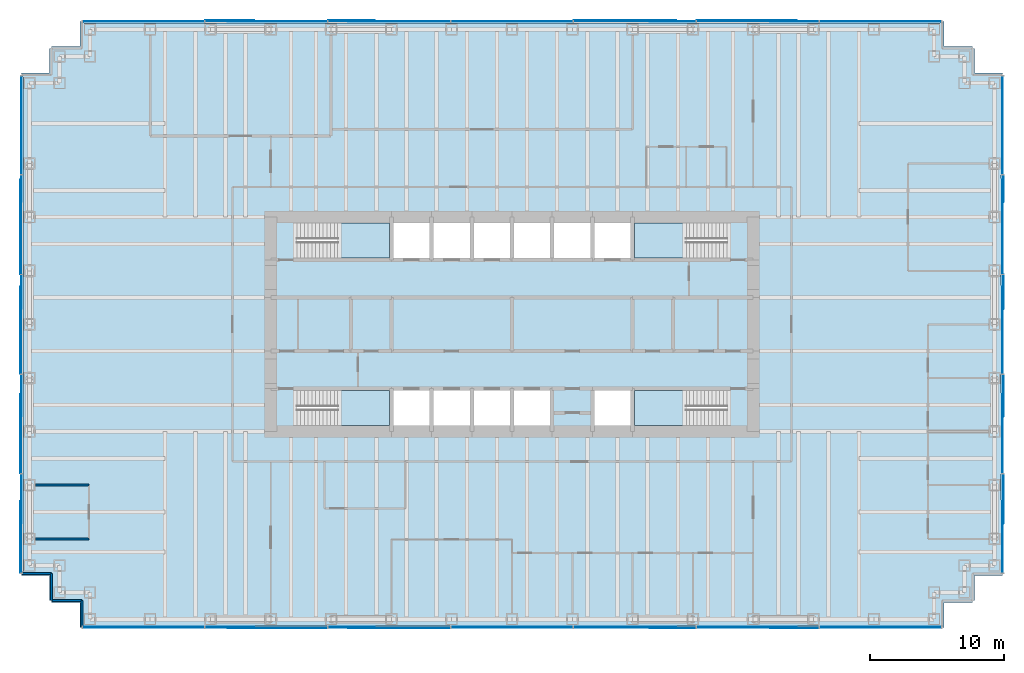
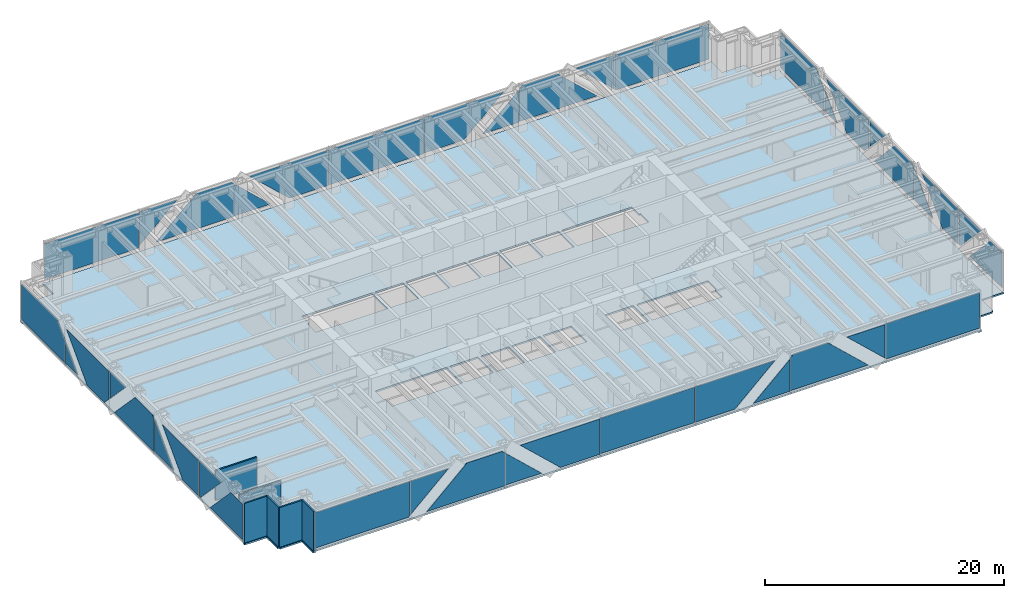
# One storey, part 10 of 15: 40 plates, 6 walls, 5 slabs, 8 elements without a shape of their own.
"""IFC4 building model written with IfcOpenShell, lengths in metres."""

from ifc_helpers import new_model, si_unit, direction, frame, frame_2d, origin, origin_2d, place, context, subcontext, project, spatial, polyline, rectangle, outline, extrude, material, layer, layer_set, type_object, element, aggregate, save


model = new_model("IFC4")

# Units and contexts
model_context = context("Model", 3, precision=1e-05, world=origin(), true_north=direction((0.0, 1.0)))
body_context = subcontext(model_context, "Body", "Model", "MODEL_VIEW")
ifc_project = project(units=[si_unit("LENGTHUNIT", "METRE"), si_unit("AREAUNIT", "SQUARE_METRE"), si_unit("VOLUMEUNIT", "CUBIC_METRE"), si_unit("PLANEANGLEUNIT", "RADIAN"), si_unit("MASSUNIT", "GRAM", prefix="KILO")], contexts=[model_context])

# Site, building, storey
site_placement = place(None, origin())
site = spatial("IfcSite", under=ifc_project, at=site_placement, CompositionType="ELEMENT")
building_placement = place(site_placement, origin())
building = spatial("IfcBuilding", under=site, at=building_placement, Name="Rheinbord Bourse Tower", CompositionType="ELEMENT")
storey_placement = place(building_placement, frame((0.0, 0.0, 134.10009765625)))
storey = spatial("IfcBuildingStorey", under=building, at=storey_placement, Name="L29", CompositionType="ELEMENT", Elevation=134.10009765625)

# Slab
ifc_material_1 = material(Name="Concrete C30/37", Category="concrete")
ifc_layer_1 = layer(ifc_material_1, 0.159912109375)
ifc_layer_set_1 = layer_set([ifc_layer_1], Name="COMPOSITE FLOOR SLAB 160")
slab_type_1 = type_object("IfcSlabType", Name="COMPOSITE FLOOR SLAB 160", PredefinedType="FLOOR", material=ifc_layer_set_1)
slab_1_placement = place(storey_placement, frame((0.0, 0.0, -0.16015625)))
element("IfcSlab", 1, at=slab_1_placement, inside=storey, type_object=slab_type_1, Name="Floor slab L29", PredefinedType="FLOOR", context=body_context, shape_type="SweptSolid", body=[
    extrude(outline(polyline([(1.64990234375, 3.39990234375), (1.5, 3.39990234375), (1.5, 5.25), (-0.60009765625, 5.25), (-0.60009765625, 5.550048828125), (-0.5, 5.550048828125), (-0.5, 42.449951171875), (-0.60009765625, 42.449951171875), (-0.60009765625, 42.75), (1.5, 42.75), (1.5, 44.60009765625), (1.64990234375, 44.60009765625), (1.64990234375, 44.75), (3.75, 44.75), (3.75, 46.60009765625), (4.050048828125, 46.60009765625), (4.050048828125, 46.5), (67.949951171875, 46.5), (67.949951171875, 46.60009765625), (68.25, 46.60009765625), (68.25, 44.75), (70.35009765625, 44.75), (70.35009765625, 44.60009765625), (70.5, 44.60009765625), (70.5, 42.75), (72.60009765625, 42.75), (72.60009765625, 42.449951171875), (72.5, 42.449951171875), (72.5, 5.550048828125), (72.60009765625, 5.550048828125), (72.60009765625, 5.25), (70.5, 5.25), (70.5, 3.39990234375), (70.35009765625, 3.39990234375), (70.35009765625, 3.25), (68.25, 3.25), (68.25, 1.39990234375), (67.949951171875, 1.39990234375), (67.949951171875, 1.5), (4.050048828125, 1.5), (4.050048828125, 1.39990234375), (3.75, 1.39990234375), (3.75, 3.25), (1.64990234375, 3.25), (1.64990234375, 3.39990234375)]), holes=[polyline([(19.949951171875, 19.050048828125), (26.85009765625, 19.050048828125), (26.85009765625, 16.449951171875), (20.10009765625, 16.449951171875), (20.10009765625, 17.64990234375), (19.949951171875, 17.64990234375), (19.949951171875, 19.050048828125)]), polyline([(26.85009765625, 31.550048828125), (26.85009765625, 28.949951171875), (19.949951171875, 28.949951171875), (19.949951171875, 30.35009765625), (20.10009765625, 30.35009765625), (20.10009765625, 31.550048828125), (26.85009765625, 31.550048828125)]), polyline([(45.14990234375, 16.449951171875), (45.14990234375, 19.050048828125), (52.050048828125, 19.050048828125), (52.050048828125, 17.64990234375), (51.89990234375, 17.64990234375), (51.89990234375, 16.449951171875), (45.14990234375, 16.449951171875)]), polyline([(52.050048828125, 28.949951171875), (45.14990234375, 28.949951171875), (45.14990234375, 31.550048828125), (51.89990234375, 31.550048828125), (51.89990234375, 30.35009765625), (52.050048828125, 30.35009765625), (52.050048828125, 28.949951171875)]), polyline([(27.14990234375, 16.449951171875), (27.14990234375, 19.050048828125), (29.85009765625, 19.050048828125), (29.85009765625, 16.449951171875), (27.14990234375, 16.449951171875)]), polyline([(27.14990234375, 28.949951171875), (27.14990234375, 31.550048828125), (29.85009765625, 31.550048828125), (29.85009765625, 28.949951171875), (27.14990234375, 28.949951171875)]), polyline([(30.14990234375, 16.449951171875), (30.14990234375, 19.050048828125), (32.85009765625, 19.050048828125), (32.85009765625, 16.449951171875), (30.14990234375, 16.449951171875)]), polyline([(30.14990234375, 28.949951171875), (30.14990234375, 31.550048828125), (32.85009765625, 31.550048828125), (32.85009765625, 28.949951171875), (30.14990234375, 28.949951171875)]), polyline([(33.14990234375, 16.449951171875), (33.14990234375, 19.050048828125), (35.85009765625, 19.050048828125), (35.85009765625, 16.449951171875), (33.14990234375, 16.449951171875)]), polyline([(33.14990234375, 28.949951171875), (33.14990234375, 31.550048828125), (35.85009765625, 31.550048828125), (35.85009765625, 28.949951171875), (33.14990234375, 28.949951171875)]), polyline([(36.14990234375, 16.449951171875), (36.14990234375, 19.050048828125), (38.85009765625, 19.050048828125), (38.85009765625, 16.449951171875), (36.14990234375, 16.449951171875)]), polyline([(36.14990234375, 28.949951171875), (36.14990234375, 31.550048828125), (38.85009765625, 31.550048828125), (38.85009765625, 28.949951171875), (36.14990234375, 28.949951171875)]), polyline([(39.14990234375, 28.949951171875), (39.14990234375, 31.550048828125), (41.85009765625, 31.550048828125), (41.85009765625, 28.949951171875), (39.14990234375, 28.949951171875)]), polyline([(42.14990234375, 16.449951171875), (42.14990234375, 19.050048828125), (44.85009765625, 19.050048828125), (44.85009765625, 16.449951171875), (42.14990234375, 16.449951171875)]), polyline([(42.14990234375, 28.949951171875), (42.14990234375, 31.550048828125), (44.85009765625, 31.550048828125), (44.85009765625, 28.949951171875), (42.14990234375, 28.949951171875)])]), origin(), (0.0, 0.0, 1.0), 0.16015625),
])

# Curtain wall, plates
ifc_material_2 = material(Name="Dark glass and black aluminium", Category="aluminium")
curtain_wall_type = type_object("IfcCurtainWallType", Name="CW2 DARK GLASS CURTAIN WALL", PredefinedType="USERDEFINED", material=ifc_material_2)
curtain_wall_1_placement = place(storey_placement, origin())
curtain_wall_1 = element("IfcCurtainWall", 2, at=curtain_wall_1_placement, inside=storey, type_object=curtain_wall_type, Name="Curtain wall CW2 S L29", ObjectType="UNITISED CURTAIN WALL", PredefinedType="USERDEFINED")
ifc_material_3 = material(Name="Dark tinted triple insulating glass", Category="glass")
ifc_layer_2 = layer(ifc_material_3, 0.050048828125)
ifc_layer_set_2 = layer_set([ifc_layer_2], Name="CW2 DARK GLASS PANEL")
plate_type = type_object("IfcPlateType", Name="CW2 DARK GLASS PANEL", PredefinedType="CURTAIN_PANEL", material=ifc_layer_set_2)
plate_1_placement = place(storey_placement, frame((36.0, 1.39990234375, 0.2998046875), z_axis=(0.0, 0.0, 1.0), x_axis=(1.0, 0.0, 0.0)))
plate_1 = element("IfcPlate", 3, at=plate_1_placement, type_object=plate_type, Name="CW2 panel 4.1", PredefinedType="CURTAIN_PANEL", context=body_context, shape_type="SweptSolid", body=[
    extrude(rectangle(XDim=9.101318359375, YDim=0.050048828125, at=origin_2d()), origin(), (0.0, 0.0, 1.0), 3.60009765625),
])
plate_2_placement = place(storey_placement, frame((3.969970703125, 1.375, 0.2998046875), z_axis=(0.0, 1.0, 0.0), x_axis=(0.0, 0.0, 1.0)))
plate_2 = element("IfcPlate", 4, at=plate_2_placement, type_object=plate_type, Name="CW2 glass facet 1", PredefinedType="CURTAIN_PANEL", context=body_context, shape_type="SweptSolid", body=[
    extrude(outline(polyline([(0.0, 0.0), (3.60009765625, 0.0), (3.60009765625, 9.06591796875), (0.09521484375, 9.06591796875), (0.0, 8.965087890625), (0.0, 0.0)])), origin(), (0.0, 0.0, 1.0), 0.050048828125),
])
plate_3_placement = place(storey_placement, frame((13.10595703125, 1.375, 3.89990234375), z_axis=(0.0, 1.0, 0.0), x_axis=(1.0, 0.0, 0.0)))
plate_3 = element("IfcPlate", 5, at=plate_3_placement, type_object=plate_type, Name="CW2 glass facet 1", PredefinedType="CURTAIN_PANEL", context=body_context, shape_type="SweptSolid", body=[
    extrude(outline(polyline([(0.0, 0.0), (3.68603515625, 0.0), (0.0, 3.43994140625), (0.0, 0.0)])), origin(), (0.0, 0.0, 1.0), 0.050048828125),
])
plate_4_placement = place(storey_placement, frame((22.2080078125, 1.31982421875, 0.2998046875), z_axis=(0.0, 1.0, 0.0), x_axis=(-1.0, 0.0, 0.0)))
plate_4 = element("IfcPlate", 6, at=plate_4_placement, type_object=plate_type, Name="CW2 glass facet 2", PredefinedType="CURTAIN_PANEL", context=body_context, shape_type="SweptSolid", body=[
    extrude(outline(polyline([(0.0, 0.0), (7.5, 0.0), (3.64306640625, 3.60009765625), (0.27294921875, 3.60009765625), (0.0, 3.34521484375), (0.0, 0.0)])), origin(), (0.0, 0.0, 1.0), 0.050048828125),
])
plate_5_placement = place(storey_placement, frame((22.278076171875, 1.375, 0.2998046875), z_axis=(0.0, 1.0, 0.0), x_axis=(0.0, 0.0, 1.0)))
plate_5 = element("IfcPlate", 7, at=plate_5_placement, type_object=plate_type, Name="CW2 glass facet 1", PredefinedType="CURTAIN_PANEL", context=body_context, shape_type="SweptSolid", body=[
    extrude(outline(polyline([(0.0, 0.0), (3.280029296875, 0.0), (0.0, 3.513916015625), (0.0, 0.0)])), origin(), (0.0, 0.0, 1.0), 0.050048828125),
])
plate_6_placement = place(storey_placement, frame((31.37890625, 1.31982421875, 3.89990234375), z_axis=(0.0, 1.0, 0.0), x_axis=(0.0, 0.0, -1.0)))
plate_6 = element("IfcPlate", 8, at=plate_6_placement, type_object=plate_type, Name="CW2 glass facet 2", PredefinedType="CURTAIN_PANEL", context=body_context, shape_type="SweptSolid", body=[
    extrude(outline(polyline([(0.0, 0.0), (3.60009765625, 0.0), (3.60009765625, 3.81396484375), (0.0, 7.6708984375), (0.0, 0.0)])), origin(), (0.0, 0.0, 1.0), 0.050048828125),
])
plate_7_placement = place(storey_placement, frame((40.62109375, 1.375, 0.2998046875), z_axis=(0.0, 1.0, 0.0), x_axis=(0.0, 0.0, 1.0)))
plate_7 = element("IfcPlate", 9, at=plate_7_placement, type_object=plate_type, Name="CW2 glass facet 1", PredefinedType="CURTAIN_PANEL", context=body_context, shape_type="SweptSolid", body=[
    extrude(outline(polyline([(0.0, 0.0), (3.60009765625, 0.0), (3.60009765625, 7.6708984375), (0.0, 3.81396484375), (0.0, 0.0)])), origin(), (0.0, 0.0, 1.0), 0.050048828125),
])
plate_8_placement = place(storey_placement, frame((49.721923828125, 1.31982421875, 0.2998046875), z_axis=(0.0, 1.0, 0.0), x_axis=(-1.0, 0.0, 0.0)))
plate_8 = element("IfcPlate", 10, at=plate_8_placement, type_object=plate_type, Name="CW2 glass facet 2", PredefinedType="CURTAIN_PANEL", context=body_context, shape_type="SweptSolid", body=[
    extrude(outline(polyline([(0.0, 0.0), (3.513916015625, 0.0), (0.0, 3.280029296875), (0.0, 0.0)])), origin(), (0.0, 0.0, 1.0), 0.050048828125),
])
plate_9_placement = place(storey_placement, frame((49.7919921875, 1.375, 0.2998046875), z_axis=(0.0, 1.0, 0.0), x_axis=(0.0, 0.0, 1.0)))
plate_9 = element("IfcPlate", 11, at=plate_9_placement, type_object=plate_type, Name="CW2 glass facet 1", PredefinedType="CURTAIN_PANEL", context=body_context, shape_type="SweptSolid", body=[
    extrude(outline(polyline([(0.0, 0.0), (3.34521484375, 0.0), (3.60009765625, 0.27294921875), (3.60009765625, 3.64306640625), (0.0, 7.5), (0.0, 0.0)])), origin(), (0.0, 0.0, 1.0), 0.050048828125),
])
plate_10_placement = place(storey_placement, frame((58.89404296875, 1.31982421875, 3.89990234375), z_axis=(0.0, 1.0, 0.0), x_axis=(0.0, 0.0, -1.0)))
plate_10 = element("IfcPlate", 12, at=plate_10_placement, type_object=plate_type, Name="CW2 glass facet 2", PredefinedType="CURTAIN_PANEL", context=body_context, shape_type="SweptSolid", body=[
    extrude(outline(polyline([(0.0, 0.0), (3.43994140625, 0.0), (0.0, 3.68603515625), (0.0, 0.0)])), origin(), (0.0, 0.0, 1.0), 0.050048828125),
])
plate_11_placement = place(storey_placement, frame((58.964111328125, 1.375, 3.89990234375), z_axis=(0.0, 1.0, 0.0), x_axis=(1.0, 0.0, 0.0)))
plate_11 = element("IfcPlate", 13, at=plate_11_placement, type_object=plate_type, Name="CW2 glass facet 1", PredefinedType="CURTAIN_PANEL", context=body_context, shape_type="SweptSolid", body=[
    extrude(outline(polyline([(0.0, 0.0), (9.06591796875, 0.0), (9.06591796875, 3.60009765625), (0.100830078125, 3.60009765625), (0.0, 3.5048828125), (0.0, 0.0)])), origin(), (0.0, 0.0, 1.0), 0.050048828125),
])
aggregate(curtain_wall_1, [plate_1, plate_2, plate_3, plate_4, plate_5, plate_6, plate_7, plate_8, plate_9, plate_10, plate_11])

curtain_wall_2_placement = place(storey_placement, origin())
curtain_wall_2 = element("IfcCurtainWall", 14, at=curtain_wall_2_placement, inside=storey, type_object=curtain_wall_type, Name="Curtain wall CW2 E L29", ObjectType="UNITISED CURTAIN WALL", PredefinedType="USERDEFINED")
plate_12_placement = place(storey_placement, frame((72.625, 5.469970703125, 0.2998046875), z_axis=(-1.0, 0.0, 0.0), x_axis=(0.0, 0.0, 1.0)))
plate_12 = element("IfcPlate", 15, at=plate_12_placement, type_object=plate_type, Name="CW2 glass facet 1", PredefinedType="CURTAIN_PANEL", context=body_context, shape_type="SweptSolid", body=[
    extrude(outline(polyline([(0.0, 0.0), (3.60009765625, 0.0), (3.60009765625, 1.97998046875), (0.0, 5.408935546875), (0.0, 0.0)])), origin(), (0.0, 0.0, 1.0), 0.050048828125),
])
plate_13_placement = place(storey_placement, frame((72.68017578125, 12.804931640625, 3.89990234375), z_axis=(-1.0, 0.0, 0.0), x_axis=(0.0, 0.0, -1.0)))
plate_13 = element("IfcPlate", 16, at=plate_13_placement, type_object=plate_type, Name="CW2 glass facet 2", PredefinedType="CURTAIN_PANEL", context=body_context, shape_type="SweptSolid", body=[
    extrude(outline(polyline([(0.0, 0.0), (3.60009765625, 0.0), (3.60009765625, 0.2548828125), (0.0, 3.683837890625), (0.0, 0.0)])), origin(), (0.0, 0.0, 1.0), 0.050048828125),
])
plate_14_placement = place(storey_placement, frame((72.625, 12.875, 0.2998046875), z_axis=(-1.0, 0.0, 0.0), x_axis=(0.0, 0.0, 1.0)))
plate_14 = element("IfcPlate", 17, at=plate_14_placement, type_object=plate_type, Name="CW2 glass facet 1", PredefinedType="CURTAIN_PANEL", context=body_context, shape_type="SweptSolid", body=[
    extrude(outline(polyline([(0.0, 0.0), (3.60009765625, 0.0), (3.60009765625, 6.00390625), (0.0, 2.574951171875), (0.0, 0.0)])), origin(), (0.0, 0.0, 1.0), 0.050048828125),
])
plate_15_placement = place(storey_placement, frame((72.68017578125, 20.2451171875, 0.2998046875), z_axis=(-1.0, 0.0, 0.0), x_axis=(0.0, -1.0, 0.0)))
plate_15 = element("IfcPlate", 18, at=plate_15_placement, type_object=plate_type, Name="CW2 glass facet 2", PredefinedType="CURTAIN_PANEL", context=body_context, shape_type="SweptSolid", body=[
    extrude(outline(polyline([(0.0, 0.0), (3.1240234375, 0.0), (0.0, 3.280029296875), (0.0, 0.0)])), origin(), (0.0, 0.0, 1.0), 0.050048828125),
])
plate_16_placement = place(storey_placement, frame((72.625, 20.31494140625, 0.2998046875), z_axis=(-1.0, 0.0, 0.0), x_axis=(0.0, 0.0, 1.0)))
plate_16 = element("IfcPlate", 19, at=plate_16_placement, type_object=plate_type, Name="CW2 glass facet 1", PredefinedType="CURTAIN_PANEL", context=body_context, shape_type="SweptSolid", body=[
    extrude(outline(polyline([(0.0, 0.0), (3.35400390625, 0.0), (3.60009765625, 0.235107421875), (3.60009765625, 3.135009765625), (0.0, 6.56396484375), (0.0, 0.0)])), origin(), (0.0, 0.0, 1.0), 0.050048828125),
])
plate_17_placement = place(storey_placement, frame((72.68017578125, 27.68505859375, 3.89990234375), z_axis=(-1.0, 0.0, 0.0), x_axis=(0.0, 0.0, -1.0)))
plate_17 = element("IfcPlate", 20, at=plate_17_placement, type_object=plate_type, Name="CW2 glass facet 2", PredefinedType="CURTAIN_PANEL", context=body_context, shape_type="SweptSolid", body=[
    extrude(outline(polyline([(0.0, 0.0), (2.69189453125, 0.0), (0.0, 2.56396484375), (0.0, 0.0)])), origin(), (0.0, 0.0, 1.0), 0.050048828125),
])
plate_18_placement = place(storey_placement, frame((72.625, 28.550048828125, 0.2998046875), z_axis=(-1.0, 0.0, 0.0), x_axis=(0.0, -0.68953357523, 0.72425371841)))
plate_18 = element("IfcPlate", 21, at=plate_18_placement, type_object=plate_type, Name="CW2 glass facet 1", PredefinedType="CURTAIN_PANEL", context=body_context, shape_type="SweptSolid", body=[
    extrude(outline(polyline([(0.0, 0.0), (1.153076171875, 0.0), (3.15576171875, 1.906494140625), (-1.756591796875, 7.066162109375), (-1.99951171875, 2.100341796875), (0.0, 0.0)])), origin(), (0.0, 0.0, 1.0), 0.050048828125),
])
plate_19_placement = place(storey_placement, frame((72.68017578125, 35.125, 0.2998046875), z_axis=(-1.0, 0.0, 0.0), x_axis=(0.0, -1.0, 0.0)))
plate_19 = element("IfcPlate", 22, at=plate_19_placement, type_object=plate_type, Name="CW2 glass facet 2", PredefinedType="CURTAIN_PANEL", context=body_context, shape_type="SweptSolid", body=[
    extrude(outline(polyline([(0.0, 0.0), (2.00390625, 0.0), (0.0, 2.10400390625), (0.0, 0.0)])), origin(), (0.0, 0.0, 1.0), 0.050048828125),
])
plate_20_placement = place(storey_placement, frame((72.625, 42.530029296875, 3.89990234375), z_axis=(-1.0, 0.0, 0.0), x_axis=(0.0, 0.0, -1.0)))
plate_20 = element("IfcPlate", 23, at=plate_20_placement, type_object=plate_type, Name="CW2 glass facet 1", PredefinedType="CURTAIN_PANEL", context=body_context, shape_type="SweptSolid", body=[
    extrude(outline(polyline([(0.0, 0.0), (3.60009765625, 0.0), (3.60009765625, 7.3349609375), (1.423095703125, 7.3349609375), (0.0, 5.97998046875), (0.0, 0.0)])), origin(), (0.0, 0.0, 1.0), 0.050048828125),
])
aggregate(curtain_wall_2, [plate_12, plate_13, plate_14, plate_15, plate_16, plate_17, plate_18, plate_19, plate_20])

curtain_wall_3_placement = place(storey_placement, origin())
curtain_wall_3 = element("IfcCurtainWall", 24, at=curtain_wall_3_placement, inside=storey, type_object=curtain_wall_type, Name="Curtain wall CW2 N L29", ObjectType="UNITISED CURTAIN WALL", PredefinedType="USERDEFINED")
plate_21_placement = place(storey_placement, frame((36.0, 46.60009765625, 0.2998046875), z_axis=(0.0, 0.0, 1.0), x_axis=(-1.0, 0.0, 0.0)))
plate_21 = element("IfcPlate", 25, at=plate_21_placement, type_object=plate_type, Name="CW2 panel 4.1", PredefinedType="CURTAIN_PANEL", context=body_context, shape_type="SweptSolid", body=[
    extrude(rectangle(XDim=9.101318359375, YDim=0.050048828125, at=origin_2d()), origin(), (0.0, 0.0, 1.0), 3.60009765625),
])
plate_22_placement = place(storey_placement, frame((68.030029296875, 46.625, 0.2998046875), z_axis=(0.0, -1.0, 0.0), x_axis=(0.0, 0.0, 1.0)))
plate_22 = element("IfcPlate", 26, at=plate_22_placement, type_object=plate_type, Name="CW2 glass facet 1", PredefinedType="CURTAIN_PANEL", context=body_context, shape_type="SweptSolid", body=[
    extrude(outline(polyline([(0.0, 0.0), (3.60009765625, 0.0), (3.60009765625, 9.06591796875), (0.09521484375, 9.06591796875), (0.0, 8.965087890625), (0.0, 0.0)])), origin(), (0.0, 0.0, 1.0), 0.050048828125),
])
plate_23_placement = place(storey_placement, frame((58.89404296875, 46.625, 3.89990234375), z_axis=(0.0, -1.0, 0.0), x_axis=(-1.0, 0.0, 0.0)))
plate_23 = element("IfcPlate", 27, at=plate_23_placement, type_object=plate_type, Name="CW2 glass facet 1", PredefinedType="CURTAIN_PANEL", context=body_context, shape_type="SweptSolid", body=[
    extrude(outline(polyline([(0.0, 0.0), (3.68603515625, 0.0), (0.0, 3.43994140625), (0.0, 0.0)])), origin(), (0.0, 0.0, 1.0), 0.050048828125),
])
plate_24_placement = place(storey_placement, frame((49.7919921875, 46.68017578125, 0.2998046875), z_axis=(0.0, -1.0, 0.0), x_axis=(1.0, 0.0, 0.0)))
plate_24 = element("IfcPlate", 28, at=plate_24_placement, type_object=plate_type, Name="CW2 glass facet 2", PredefinedType="CURTAIN_PANEL", context=body_context, shape_type="SweptSolid", body=[
    extrude(outline(polyline([(0.0, 0.0), (7.5, 0.0), (3.64306640625, 3.60009765625), (0.27294921875, 3.60009765625), (0.0, 3.34521484375), (0.0, 0.0)])), origin(), (0.0, 0.0, 1.0), 0.050048828125),
])
plate_25_placement = place(storey_placement, frame((49.721923828125, 46.625, 0.2998046875), z_axis=(0.0, -1.0, 0.0), x_axis=(0.0, 0.0, 1.0)))
plate_25 = element("IfcPlate", 29, at=plate_25_placement, type_object=plate_type, Name="CW2 glass facet 1", PredefinedType="CURTAIN_PANEL", context=body_context, shape_type="SweptSolid", body=[
    extrude(outline(polyline([(0.0, 0.0), (3.280029296875, 0.0), (0.0, 3.513916015625), (0.0, 0.0)])), origin(), (0.0, 0.0, 1.0), 0.050048828125),
])
plate_26_placement = place(storey_placement, frame((40.62109375, 46.68017578125, 3.89990234375), z_axis=(0.0, -1.0, 0.0), x_axis=(0.0, 0.0, -1.0)))
plate_26 = element("IfcPlate", 30, at=plate_26_placement, type_object=plate_type, Name="CW2 glass facet 2", PredefinedType="CURTAIN_PANEL", context=body_context, shape_type="SweptSolid", body=[
    extrude(outline(polyline([(0.0, 0.0), (3.60009765625, 0.0), (3.60009765625, 3.81396484375), (0.0, 7.6708984375), (0.0, 0.0)])), origin(), (0.0, 0.0, 1.0), 0.050048828125),
])
plate_27_placement = place(storey_placement, frame((31.37890625, 46.625, 0.2998046875), z_axis=(0.0, -1.0, 0.0), x_axis=(0.0, 0.0, 1.0)))
plate_27 = element("IfcPlate", 31, at=plate_27_placement, type_object=plate_type, Name="CW2 glass facet 1", PredefinedType="CURTAIN_PANEL", context=body_context, shape_type="SweptSolid", body=[
    extrude(outline(polyline([(0.0, 0.0), (3.60009765625, 0.0), (3.60009765625, 7.6708984375), (0.0, 3.81396484375), (0.0, 0.0)])), origin(), (0.0, 0.0, 1.0), 0.050048828125),
])
plate_28_placement = place(storey_placement, frame((22.278076171875, 46.68017578125, 0.2998046875), z_axis=(0.0, -1.0, 0.0), x_axis=(1.0, 0.0, 0.0)))
plate_28 = element("IfcPlate", 32, at=plate_28_placement, type_object=plate_type, Name="CW2 glass facet 2", PredefinedType="CURTAIN_PANEL", context=body_context, shape_type="SweptSolid", body=[
    extrude(outline(polyline([(0.0, 0.0), (3.513916015625, 0.0), (0.0, 3.280029296875), (0.0, 0.0)])), origin(), (0.0, 0.0, 1.0), 0.050048828125),
])
plate_29_placement = place(storey_placement, frame((22.2080078125, 46.625, 0.2998046875), z_axis=(0.0, -1.0, 0.0), x_axis=(0.0, 0.0, 1.0)))
plate_29 = element("IfcPlate", 33, at=plate_29_placement, type_object=plate_type, Name="CW2 glass facet 1", PredefinedType="CURTAIN_PANEL", context=body_context, shape_type="SweptSolid", body=[
    extrude(outline(polyline([(0.0, 0.0), (3.34521484375, 0.0), (3.60009765625, 0.27294921875), (3.60009765625, 3.64306640625), (0.0, 7.5), (0.0, 0.0)])), origin(), (0.0, 0.0, 1.0), 0.050048828125),
])
plate_30_placement = place(storey_placement, frame((13.10595703125, 46.68017578125, 3.89990234375), z_axis=(0.0, -1.0, 0.0), x_axis=(0.0, 0.0, -1.0)))
plate_30 = element("IfcPlate", 34, at=plate_30_placement, type_object=plate_type, Name="CW2 glass facet 2", PredefinedType="CURTAIN_PANEL", context=body_context, shape_type="SweptSolid", body=[
    extrude(outline(polyline([(0.0, 0.0), (3.43994140625, 0.0), (0.0, 3.68603515625), (0.0, 0.0)])), origin(), (0.0, 0.0, 1.0), 0.050048828125),
])
plate_31_placement = place(storey_placement, frame((13.035888671875, 46.625, 3.89990234375), z_axis=(0.0, -1.0, 0.0), x_axis=(-1.0, 0.0, 0.0)))
plate_31 = element("IfcPlate", 35, at=plate_31_placement, type_object=plate_type, Name="CW2 glass facet 1", PredefinedType="CURTAIN_PANEL", context=body_context, shape_type="SweptSolid", body=[
    extrude(outline(polyline([(0.0, 0.0), (9.06591796875, 0.0), (9.06591796875, 3.60009765625), (0.100830078125, 3.60009765625), (0.0, 3.5048828125), (0.0, 0.0)])), origin(), (0.0, 0.0, 1.0), 0.050048828125),
])
aggregate(curtain_wall_3, [plate_21, plate_22, plate_23, plate_24, plate_25, plate_26, plate_27, plate_28, plate_29, plate_30, plate_31])

curtain_wall_4_placement = place(storey_placement, origin())
curtain_wall_4 = element("IfcCurtainWall", 36, at=curtain_wall_4_placement, inside=storey, type_object=curtain_wall_type, Name="Curtain wall CW2 W L29", ObjectType="UNITISED CURTAIN WALL", PredefinedType="USERDEFINED")
plate_32_placement = place(storey_placement, frame((-0.625, 35.195068359375, 0.2998046875), z_axis=(1.0, 0.0, 0.0), x_axis=(0.0, 1.0, 0.0)))
plate_32 = element("IfcPlate", 37, at=plate_32_placement, type_object=plate_type, Name="CW2 glass facet 1", PredefinedType="CURTAIN_PANEL", context=body_context, shape_type="SweptSolid", body=[
    extrude(outline(polyline([(0.0, 0.0), (7.3349609375, 0.0), (7.3349609375, 3.60009765625), (1.35498046875, 3.60009765625), (0.0, 2.177001953125), (0.0, 0.0)])), origin(), (0.0, 0.0, 1.0), 0.050048828125),
])
plate_33_placement = place(storey_placement, frame((-0.625, 35.125, 0.2998046875), z_axis=(1.0, 0.0, 0.0), x_axis=(0.0, 0.0, 1.0)))
plate_33 = element("IfcPlate", 38, at=plate_33_placement, type_object=plate_type, Name="CW2 glass facet 1", PredefinedType="CURTAIN_PANEL", context=body_context, shape_type="SweptSolid", body=[
    extrude(outline(polyline([(0.0, 0.0), (2.10400390625, 0.0), (0.0, 2.00390625), (0.0, 0.0)])), origin(), (0.0, 0.0, 1.0), 0.050048828125),
])
plate_34_placement = place(storey_placement, frame((-0.68017578125, 31.449951171875, 0.2998046875), z_axis=(1.0, 0.0, 0.0), x_axis=(0.0, 0.689685826199, 0.724108735716)))
plate_34 = element("IfcPlate", 39, at=plate_34_placement, type_object=plate_type, Name="CW2 glass facet 2", PredefinedType="CURTAIN_PANEL", context=body_context, shape_type="SweptSolid", body=[
    extrude(outline(polyline([(0.0, 0.0), (4.9716796875, 0.0), (0.058349609375, 5.158447265625), (-1.944580078125, 3.250732421875), (-2.0, 2.099853515625), (0.0, 0.0)])), origin(), (0.0, 0.0, 1.0), 0.050048828125),
])
plate_35_placement = place(storey_placement, frame((-0.625, 27.68505859375, 3.89990234375), z_axis=(1.0, 0.0, 0.0), x_axis=(0.0, -1.0, 0.0)))
plate_35 = element("IfcPlate", 40, at=plate_35_placement, type_object=plate_type, Name="CW2 glass facet 1", PredefinedType="CURTAIN_PANEL", context=body_context, shape_type="SweptSolid", body=[
    extrude(outline(polyline([(0.0, 0.0), (2.56396484375, 0.0), (0.0, 2.69189453125), (0.0, 0.0)])), origin(), (0.0, 0.0, 1.0), 0.050048828125),
])
plate_36_placement = place(storey_placement, frame((-0.68017578125, 20.31494140625, 0.2998046875), z_axis=(1.0, 0.0, 0.0), x_axis=(0.0, 1.0, 0.0)))
plate_36 = element("IfcPlate", 41, at=plate_36_placement, type_object=plate_type, Name="CW2 glass facet 2", PredefinedType="CURTAIN_PANEL", context=body_context, shape_type="SweptSolid", body=[
    extrude(outline(polyline([(0.0, 0.0), (6.56396484375, 0.0), (3.135009765625, 3.60009765625), (0.235107421875, 3.60009765625), (0.0, 3.35400390625), (0.0, 0.0)])), origin(), (0.0, 0.0, 1.0), 0.050048828125),
])
plate_37_placement = place(storey_placement, frame((-0.625, 20.2451171875, 0.2998046875), z_axis=(1.0, 0.0, 0.0), x_axis=(0.0, 0.0, 1.0)))
plate_37 = element("IfcPlate", 42, at=plate_37_placement, type_object=plate_type, Name="CW2 glass facet 1", PredefinedType="CURTAIN_PANEL", context=body_context, shape_type="SweptSolid", body=[
    extrude(outline(polyline([(0.0, 0.0), (3.280029296875, 0.0), (0.0, 3.1240234375), (0.0, 0.0)])), origin(), (0.0, 0.0, 1.0), 0.050048828125),
])
plate_38_placement = place(storey_placement, frame((-0.68017578125, 12.875, 3.89990234375), z_axis=(1.0, 0.0, 0.0), x_axis=(0.0, 0.0, -1.0)))
plate_38 = element("IfcPlate", 43, at=plate_38_placement, type_object=plate_type, Name="CW2 glass facet 2", PredefinedType="CURTAIN_PANEL", context=body_context, shape_type="SweptSolid", body=[
    extrude(outline(polyline([(0.0, 0.0), (3.60009765625, 0.0), (3.60009765625, 2.574951171875), (0.0, 6.00390625), (0.0, 0.0)])), origin(), (0.0, 0.0, 1.0), 0.050048828125),
])
plate_39_placement = place(storey_placement, frame((-0.625, 12.804931640625, 0.2998046875), z_axis=(1.0, 0.0, 0.0), x_axis=(0.0, 0.0, 1.0)))
plate_39 = element("IfcPlate", 44, at=plate_39_placement, type_object=plate_type, Name="CW2 glass facet 1", PredefinedType="CURTAIN_PANEL", context=body_context, shape_type="SweptSolid", body=[
    extrude(outline(polyline([(0.0, 0.0), (3.60009765625, 0.0), (3.60009765625, 3.683837890625), (0.0, 0.2548828125), (0.0, 0.0)])), origin(), (0.0, 0.0, 1.0), 0.050048828125),
])
plate_40_placement = place(storey_placement, frame((-0.68017578125, 5.469970703125, 3.89990234375), z_axis=(1.0, 0.0, 0.0), x_axis=(0.0, 0.0, -1.0)))
plate_40 = element("IfcPlate", 45, at=plate_40_placement, type_object=plate_type, Name="CW2 glass facet 2", PredefinedType="CURTAIN_PANEL", context=body_context, shape_type="SweptSolid", body=[
    extrude(outline(polyline([(0.0, 0.0), (3.60009765625, 0.0), (3.60009765625, 5.408935546875), (0.0, 1.97998046875), (0.0, 0.0)])), origin(), (0.0, 0.0, 1.0), 0.050048828125),
])
aggregate(curtain_wall_4, [plate_32, plate_33, plate_34, plate_35, plate_36, plate_37, plate_38, plate_39, plate_40])

# Stair, slab
ifc_material_4 = material(Name="Concrete C30/37", Category="concrete")
stair_type = type_object("IfcStairType", Name="CORE STAIR HALF TURN 4200", PredefinedType="HALF_TURN_STAIR", material=ifc_material_4)
stair_1_placement = place(storey_placement, origin())
stair_1 = element("IfcStair", 46, at=stair_1_placement, inside=storey, type_object=stair_type, Name="Stair ST1 L29, type CS6", PredefinedType="HALF_TURN_STAIR")
ifc_material_5 = material(Name="Concrete C30/37", Category="concrete")
ifc_layer_3 = layer(ifc_material_5, 0.199951171875)
ifc_layer_set_3 = layer_set([ifc_layer_3], Name="STAIR LANDING 200")
slab_type_2 = type_object("IfcSlabType", Name="STAIR LANDING 200", PredefinedType="LANDING", material=ifc_layer_set_3)
slab_2_placement = place(storey_placement, frame((0.0, 0.0, 1.89990234375)))
slab_2 = element("IfcSlab", 47, at=slab_2_placement, type_object=slab_type_2, Name="Half landing ST1 L29", PredefinedType="LANDING", context=body_context, shape_type="SweptSolid", body=[
    extrude(outline(polyline([(23.030029296875, 16.449951171875), (26.85009765625, 16.449951171875), (26.85009765625, 19.050048828125), (21.748046875, 19.050048828125), (21.748046875, 17.85009765625), (23.030029296875, 17.85009765625), (23.030029296875, 16.449951171875)])), origin(), (0.0, 0.0, 1.0), 0.199951171875),
])
aggregate(stair_1, [slab_2])

stair_2_placement = place(storey_placement, origin())
stair_2 = element("IfcStair", 48, at=stair_2_placement, inside=storey, type_object=stair_type, Name="Stair ST2 L29, type CS6", PredefinedType="HALF_TURN_STAIR")
slab_3_placement = place(storey_placement, frame((0.0, 0.0, 1.89990234375)))
slab_3 = element("IfcSlab", 49, at=slab_3_placement, type_object=slab_type_2, Name="Half landing ST2 L29", PredefinedType="LANDING", context=body_context, shape_type="SweptSolid", body=[
    extrude(outline(polyline([(21.748046875, 28.949951171875), (26.85009765625, 28.949951171875), (26.85009765625, 31.550048828125), (23.030029296875, 31.550048828125), (23.030029296875, 30.14990234375), (21.748046875, 30.14990234375), (21.748046875, 28.949951171875)])), origin(), (0.0, 0.0, 1.0), 0.199951171875),
])
aggregate(stair_2, [slab_3])

stair_3_placement = place(storey_placement, origin())
stair_3 = element("IfcStair", 50, at=stair_3_placement, inside=storey, type_object=stair_type, Name="Stair ST3 L29, type CS6", PredefinedType="HALF_TURN_STAIR")
slab_4_placement = place(storey_placement, frame((0.0, 0.0, 1.89990234375)))
slab_4 = element("IfcSlab", 51, at=slab_4_placement, type_object=slab_type_2, Name="Half landing ST3 L29", PredefinedType="LANDING", context=body_context, shape_type="SweptSolid", body=[
    extrude(outline(polyline([(45.14990234375, 16.449951171875), (48.969970703125, 16.449951171875), (48.969970703125, 17.85009765625), (50.251953125, 17.85009765625), (50.251953125, 19.050048828125), (45.14990234375, 19.050048828125), (45.14990234375, 16.449951171875)])), origin(), (0.0, 0.0, 1.0), 0.199951171875),
])
aggregate(stair_3, [slab_4])

stair_4_placement = place(storey_placement, origin())
stair_4 = element("IfcStair", 52, at=stair_4_placement, inside=storey, type_object=stair_type, Name="Stair ST4 L29, type CS6", PredefinedType="HALF_TURN_STAIR")
slab_5_placement = place(storey_placement, frame((0.0, 0.0, 1.89990234375)))
slab_5 = element("IfcSlab", 53, at=slab_5_placement, type_object=slab_type_2, Name="Half landing ST4 L29", PredefinedType="LANDING", context=body_context, shape_type="SweptSolid", body=[
    extrude(outline(polyline([(45.14990234375, 28.949951171875), (50.251953125, 28.949951171875), (50.251953125, 30.14990234375), (48.969970703125, 30.14990234375), (48.969970703125, 31.550048828125), (45.14990234375, 31.550048828125), (45.14990234375, 28.949951171875)])), origin(), (0.0, 0.0, 1.0), 0.199951171875),
])
aggregate(stair_4, [slab_5])

# Walls
ifc_material_6 = material(Name="Black metal rainscreen panel", Category="aluminium")
ifc_layer_4 = layer(ifc_material_6, 0.14990234375)
ifc_layer_set_4 = layer_set([ifc_layer_4], Name="CORNER PIER CLADDING 150")
wall_type_1 = type_object("IfcWallType", Name="CORNER PIER CLADDING 150", PredefinedType="ELEMENTEDWALL", material=ifc_layer_set_4)
wall_1_placement = place(storey_placement, frame((-0.60009765625, 5.39990234375, 0.0), z_axis=(0.0, 0.0, 1.0), x_axis=(1.0, 0.0, 0.0)))
element("IfcWall", 54, at=wall_1_placement, inside=storey, type_object=wall_type_1, Name="Corner pier cladding L29 17", PredefinedType="ELEMENTEDWALL", context=body_context, shape_type="SweptSolid", body=[
    extrude(rectangle(XDim=2.25, YDim=0.14990234375, at=frame_2d((1.125, 0.0))), origin(), (0.0, 0.0, 1.0), 4.039794921875),
])
wall_2_placement = place(storey_placement, frame((1.64990234375, 5.39990234375, 0.0), z_axis=(0.0, 0.0, 1.0), x_axis=(0.0, -1.0, 0.0)))
element("IfcWall", 55, at=wall_2_placement, inside=storey, type_object=wall_type_1, Name="Corner pier cladding L29 18", PredefinedType="ELEMENTEDWALL", context=body_context, shape_type="SweptSolid", body=[
    extrude(rectangle(XDim=2.0, YDim=0.14990234375, at=frame_2d((1.0, 0.0))), origin(), (0.0, 0.0, 1.0), 4.039794921875),
])
wall_3_placement = place(storey_placement, frame((1.64990234375, 3.39990234375, 0.0), z_axis=(0.0, 0.0, 1.0), x_axis=(1.0, 0.0, 0.0)))
element("IfcWall", 56, at=wall_3_placement, inside=storey, type_object=wall_type_1, Name="Corner pier cladding L29 19", PredefinedType="ELEMENTEDWALL", context=body_context, shape_type="SweptSolid", body=[
    extrude(rectangle(XDim=2.25, YDim=0.14990234375, at=frame_2d((1.125, 0.0))), origin(), (0.0, 0.0, 1.0), 4.039794921875),
])
wall_4_placement = place(storey_placement, frame((3.89990234375, 3.39990234375, 0.0), z_axis=(0.0, 0.0, 1.0), x_axis=(0.0, -1.0, 0.0)))
element("IfcWall", 57, at=wall_4_placement, inside=storey, type_object=wall_type_1, Name="Corner pier cladding L29 20", PredefinedType="ELEMENTEDWALL", context=body_context, shape_type="SweptSolid", body=[
    extrude(rectangle(XDim=2.0, YDim=0.14990234375, at=frame_2d((1.0, 0.0))), origin(), (0.0, 0.0, 1.0), 4.039794921875),
])
ifc_material_7 = material(Name="Gypsum board partition", Category="gypsum board")
ifc_layer_5 = layer(ifc_material_7, 0.14990234375)
ifc_layer_set_5 = layer_set([ifc_layer_5], Name="PARTITION 150")
wall_type_2 = type_object("IfcWallType", Name="PARTITION 150", PredefinedType="PARTITIONING", material=ifc_layer_set_5)
for number, where, z_axis, x_axis, name in (
    (58, (0.449951171875, 8.0, 0.0), (0.0, 0.0, 1.0), (1.0, 0.0, 0.0), "Partition L29-03"),
    (59, (0.449951171875, 12.0, 0.0), (0.0, 0.0, 1.0), (1.0, 0.0, 0.0), "Partition L29-06"),
):
    element("IfcWall", number, at=place(storey_placement, frame(where, z_axis=z_axis, x_axis=x_axis)), inside=storey, type_object=wall_type_2, Name=name, PredefinedType="PARTITIONING", context=body_context, shape_type="SweptSolid", body=[
        extrude(rectangle(XDim=4.0, YDim=0.14990234375, at=frame_2d((2.0, 0.0))), origin(), (0.0, 0.0, 1.0), 3.0),
    ])

save(model, "model.ifc")
